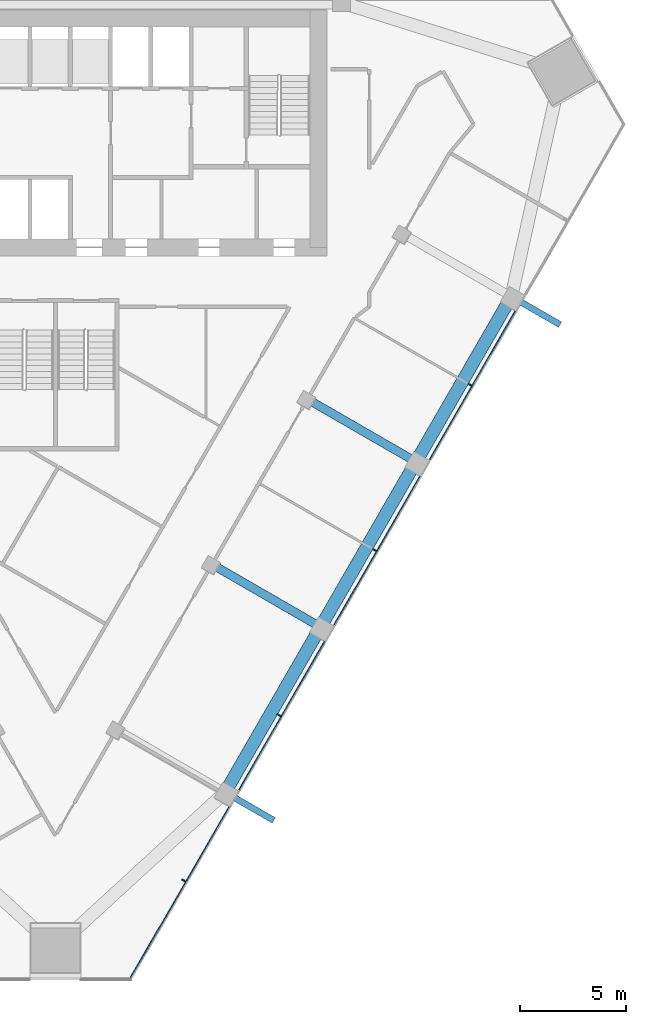
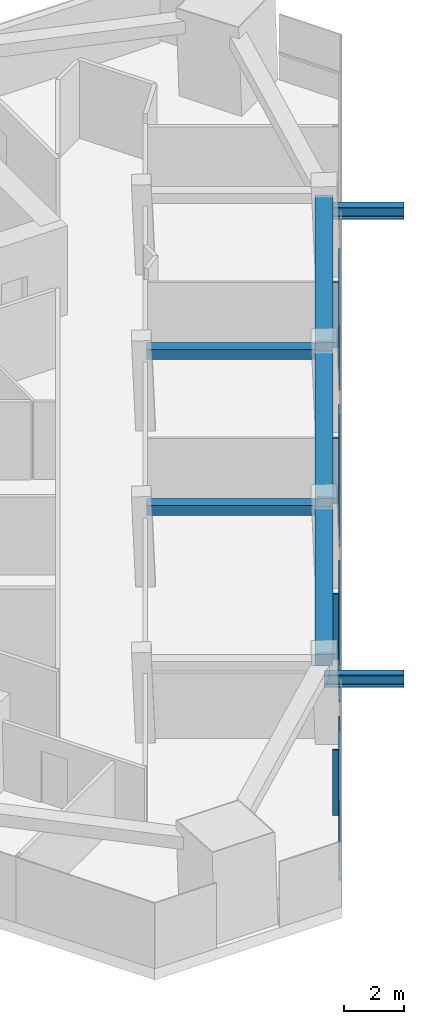
# One storey, part 4 of 13: 10 members, 5 beams, 1 element without a shape of its own.
"""IFC4 building model written with IfcOpenShell, lengths in metres."""

from ifc_helpers import new_model, si_unit, direction, frame, origin, origin_2d, place, context, subcontext, project, spatial, rectangle, i_section, extrude, material, layer, layer_set, material_profile, profile_set, type_object, element, aggregate, save


model = new_model("IFC4")

# Units and contexts
model_context = context("Model", 3, precision=1e-05, world=origin(), true_north=direction((0.0, 1.0)))
body_context = subcontext(model_context, "Body", "Model", "MODEL_VIEW")
ifc_project = project(units=[si_unit("LENGTHUNIT", "METRE"), si_unit("AREAUNIT", "SQUARE_METRE"), si_unit("VOLUMEUNIT", "CUBIC_METRE"), si_unit("PLANEANGLEUNIT", "RADIAN"), si_unit("MASSUNIT", "GRAM", prefix="KILO")], contexts=[model_context])

# Site, building, storey
site_placement = place(None, origin())
site = spatial("IfcSite", under=ifc_project, at=site_placement, CompositionType="ELEMENT")
building_placement = place(site_placement, origin())
building = spatial("IfcBuilding", under=site, at=building_placement, Name="Altiplano Prism Tower", CompositionType="ELEMENT")
storey_placement = place(building_placement, frame((0.0, 0.0, 160.199951171875)))
storey = spatial("IfcBuildingStorey", under=building, at=storey_placement, Name="L41", CompositionType="ELEMENT", Elevation=160.199951171875)

# Members
ifc_material_1 = material(Name="Steel S355", Category="steel")
ifc_material_profile_1 = material_profile(ifc_material_1, i_section(OverallWidth=0.300048828125, OverallDepth=0.5, WebThickness=0.014404296875, FlangeThickness=0.028076171875, FilletRadius=0.027099609375, at=origin_2d()), Name="Brace bracket HEB 500")
ifc_profile_set_1 = profile_set([ifc_material_profile_1], Name="Steel S355")
member_type_1 = type_object("IfcMemberType", Name="Brace bracket HEB 500", PredefinedType="STRUT", material=ifc_profile_set_1)
for number, where, z_axis, x_axis, name in (
    (1, (93.00732421875, 67.29833984375, 2.303955078125), (0.866029095148, -0.499993606316, 0.0), (0.499993606316, 0.866029095148, 0.0), "Brace bracket 2.163.8"),
    (2, (106.50732421875, 90.68115234375, 2.309326171875), (0.866029095148, -0.499993606316, 0.0), (0.499993606316, 0.866029095148, 0.0), "Brace bracket 2.163.8"),
):
    element("IfcMember", number, at=place(storey_placement, frame(where, z_axis=z_axis, x_axis=x_axis)), inside=storey, type_object=member_type_1, Name=name, PredefinedType="STRUT", context=body_context, shape_type="SweptSolid", body=[
        extrude(i_section(OverallWidth=0.300048828125, OverallDepth=0.5, WebThickness=0.014404296875, FlangeThickness=0.028076171875, FilletRadius=0.027099609375, at=origin_2d()), origin(), (0.0, 0.0, 1.0), 2.64990234375),
    ])

# Curtain wall, members
ifc_material_2 = material(Name="Aluminium and glass", Category="aluminium")
ifc_layer = layer(ifc_material_2, 0.303955078125)
ifc_layer_set = layer_set([ifc_layer], Name="Aluminium and glass")
curtain_wall_type = type_object("IfcCurtainWallType", Name="CW2 lounge-band unitised glazing", PredefinedType="NOTDEFINED", material=ifc_layer_set)
curtain_wall_placement = place(storey_placement, origin())
curtain_wall = element("IfcCurtainWall", 3, at=curtain_wall_placement, inside=storey, type_object=curtain_wall_type, Name="CW2 curtain wall south-east face L41", PredefinedType="NOTDEFINED")
ifc_material_3 = material(Name="Aluminium", Category="aluminium")
ifc_material_profile_2 = material_profile(ifc_material_3, rectangle(XDim=0.199951171875, YDim=0.06005859375, at=origin_2d()), Name="CW2 mullion 60 x 200")
ifc_profile_set_2 = profile_set([ifc_material_profile_2], Name="Aluminium")
member_type_2 = type_object("IfcMemberType", Name="CW2 mullion 60 x 200", PredefinedType="MULLION", material=ifc_profile_set_2)
member_1_placement = place(storey_placement, frame((91.05029296875, 63.1396484375, 0.0), z_axis=(0.0, 0.0, 1.0), x_axis=(-0.866025401978, 0.500000003129, 0.0)))
member_1 = element("IfcMember", 4, at=member_1_placement, type_object=member_type_2, Name="CW2 mullion", PredefinedType="MULLION", context=body_context, shape_type="SweptSolid", body=[
    extrude(rectangle(XDim=0.199951171875, YDim=0.06005859375, at=origin_2d()), origin(), (0.0, 0.0, 1.0), 2.650146484375),
])
member_2_placement = place(storey_placement, frame((95.55029296875, 70.93408203125, 0.0), z_axis=(0.0, 0.0, 1.0), x_axis=(-0.866025401978, 0.500000003129, 0.0)))
member_2 = element("IfcMember", 5, at=member_2_placement, type_object=member_type_2, Name="CW2 mullion", PredefinedType="MULLION", context=body_context, shape_type="SweptSolid", body=[
    extrude(rectangle(XDim=0.199951171875, YDim=0.06005859375, at=origin_2d()), origin(), (0.0, 0.0, 1.0), 2.650146484375),
])
member_3_placement = place(storey_placement, frame((100.05029296875, 78.728271484375, 0.0), z_axis=(0.0, 0.0, 1.0), x_axis=(-0.866025401978, 0.500000003129, 0.0)))
member_3 = element("IfcMember", 6, at=member_3_placement, type_object=member_type_2, Name="CW2 mullion", PredefinedType="MULLION", context=body_context, shape_type="SweptSolid", body=[
    extrude(rectangle(XDim=0.199951171875, YDim=0.06005859375, at=origin_2d()), origin(), (0.0, 0.0, 1.0), 2.650146484375),
])
member_4_placement = place(storey_placement, frame((104.55029296875, 86.5224609375, 0.0), z_axis=(0.0, 0.0, 1.0), x_axis=(-0.866025401978, 0.500000003129, 0.0)))
member_4 = element("IfcMember", 7, at=member_4_placement, type_object=member_type_2, Name="CW2 mullion", PredefinedType="MULLION", context=body_context, shape_type="SweptSolid", body=[
    extrude(rectangle(XDim=0.199951171875, YDim=0.06005859375, at=origin_2d()), origin(), (0.0, 0.0, 1.0), 2.650146484375),
])
ifc_material_profile_3 = material_profile(ifc_material_3, rectangle(XDim=0.06005859375, YDim=0.080078125, at=origin_2d()), Name="CW2 transom 80 x 60")
ifc_profile_set_3 = profile_set([ifc_material_profile_3], Name="Aluminium")
member_type_3 = type_object("IfcMemberType", Name="CW2 transom 80 x 60", PredefinedType="USERDEFINED", material=ifc_profile_set_3)
member_5_placement = place(storey_placement, frame((88.511962890625, 58.4833984375, 1.10009765625), z_axis=(0.499998191542, 0.866026447896, 0.0), x_axis=(-0.866026447896, 0.499998191542, 0.0)))
member_5 = element("IfcMember", 8, at=member_5_placement, type_object=member_type_3, Name="CW2 transom", ObjectType="TRANSOM", PredefinedType="USERDEFINED", context=body_context, shape_type="SweptSolid", body=[
    extrude(rectangle(XDim=0.06005859375, YDim=0.080078125, at=origin_2d()), origin(), (0.0, 0.0, 1.0), 9.3759765625),
])
member_6_placement = place(storey_placement, frame((93.6650390625, 67.40869140625, 1.10009765625), z_axis=(0.499994808408, 0.866028401131, 0.0), x_axis=(-0.866028401131, 0.499994808408, 0.0)))
member_6 = element("IfcMember", 9, at=member_6_placement, type_object=member_type_3, Name="CW2 transom", ObjectType="TRANSOM", PredefinedType="USERDEFINED", context=body_context, shape_type="SweptSolid", body=[
    extrude(rectangle(XDim=0.06005859375, YDim=0.080078125, at=origin_2d()), origin(), (0.0, 0.0, 1.0), 8.06982421875),
])
member_7_placement = place(storey_placement, frame((98.1650390625, 75.202880859375, 1.10009765625), z_axis=(0.499994808408, 0.866028401131, 0.0), x_axis=(-0.866028401131, 0.499994808408, 0.0)))
member_7 = element("IfcMember", 10, at=member_7_placement, type_object=member_type_3, Name="CW2 transom", ObjectType="TRANSOM", PredefinedType="USERDEFINED", context=body_context, shape_type="SweptSolid", body=[
    extrude(rectangle(XDim=0.06005859375, YDim=0.080078125, at=origin_2d()), origin(), (0.0, 0.0, 1.0), 8.06982421875),
])
member_8_placement = place(storey_placement, frame((102.6650390625, 82.997314453125, 1.10009765625), z_axis=(0.500007908628, 0.866020837688, 0.0), x_axis=(-0.866020837688, 0.500007908628, 0.0)))
member_8 = element("IfcMember", 11, at=member_8_placement, type_object=member_type_3, Name="CW2 transom", ObjectType="TRANSOM", PredefinedType="USERDEFINED", context=body_context, shape_type="SweptSolid", body=[
    extrude(rectangle(XDim=0.06005859375, YDim=0.080078125, at=origin_2d()), origin(), (0.0, 0.0, 1.0), 8.069580078125),
])
aggregate(curtain_wall, [member_1, member_5, member_2, member_6, member_3, member_7, member_4, member_8])

# Beams
ifc_material_4 = material(Name="Concrete C60/75", Category="concrete")
ifc_material_profile_4 = material_profile(ifc_material_4, rectangle(XDim=0.60009765625, YDim=0.5, at=origin_2d()), Name="Edge beam 600x500")
ifc_profile_set_4 = profile_set([ifc_material_profile_4], Name="Concrete C60/75")
beam_type_1 = type_object("IfcBeamType", Name="Edge beam 600x500", PredefinedType="SPANDREL", material=ifc_profile_set_4)
for number, where, z_axis, x_axis, name in (
    (12, (93.147216796875, 67.541015625, 2.900146484375), (0.500006240468, 0.866021800818, 0.0), (-0.866021800818, 0.500006240468, 0.0), "Edge beam P21-P22 L42"),
    (13, (97.647216796875, 75.335205078125, 2.900146484375), (0.500006240468, 0.866021800818, 0.0), (-0.866021800818, 0.500006240468, 0.0), "Edge beam P22-P23 L42"),
    (14, (102.147216796875, 83.12939453125, 2.900146484375), (0.499993714791, 0.866029032521, 0.0), (-0.866029032521, 0.499993714791, 0.0), "Edge beam P23-P24 L42"),
):
    element("IfcBeam", number, at=place(storey_placement, frame(where, z_axis=z_axis, x_axis=x_axis)), inside=storey, type_object=beam_type_1, Name=name, PredefinedType="SPANDREL", context=body_context, shape_type="SweptSolid", body=[
        extrude(rectangle(XDim=0.60009765625, YDim=0.5, at=origin_2d()), origin(), (0.0, 0.0, 1.0), 8.43994140625),
    ])
ifc_material_profile_5 = material_profile(ifc_material_4, rectangle(XDim=0.39990234375, YDim=0.39990234375, at=origin_2d()), Name="Tie beam 400x400")
ifc_profile_set_5 = profile_set([ifc_material_profile_5], Name="Concrete C60/75")
beam_type_2 = type_object("IfcBeamType", Name="Tie beam 400x400", PredefinedType="BEAM", material=ifc_profile_set_5)
for number, where, z_axis, x_axis, name in (
    (15, (92.423583984375, 78.027587890625, 2.949951171875), (0.866030670444, -0.499990877767, 0.0), (0.499990877767, 0.866030670444, 0.0), "Tie beam I22 L42"),
    (16, (96.923583984375, 85.82177734375, 2.949951171875), (0.866030670444, -0.499990877767, 0.0), (0.499990877767, 0.866030670444, 0.0), "Tie beam I23 L42"),
):
    element("IfcBeam", number, at=place(storey_placement, frame(where, z_axis=z_axis, x_axis=x_axis)), inside=storey, type_object=beam_type_2, Name=name, PredefinedType="BEAM", context=body_context, shape_type="SweptSolid", body=[
        extrude(rectangle(XDim=0.39990234375, YDim=0.39990234375, at=origin_2d()), origin(), (0.0, 0.0, 1.0), 5.58984375),
    ])

save(model, "model.ifc")
